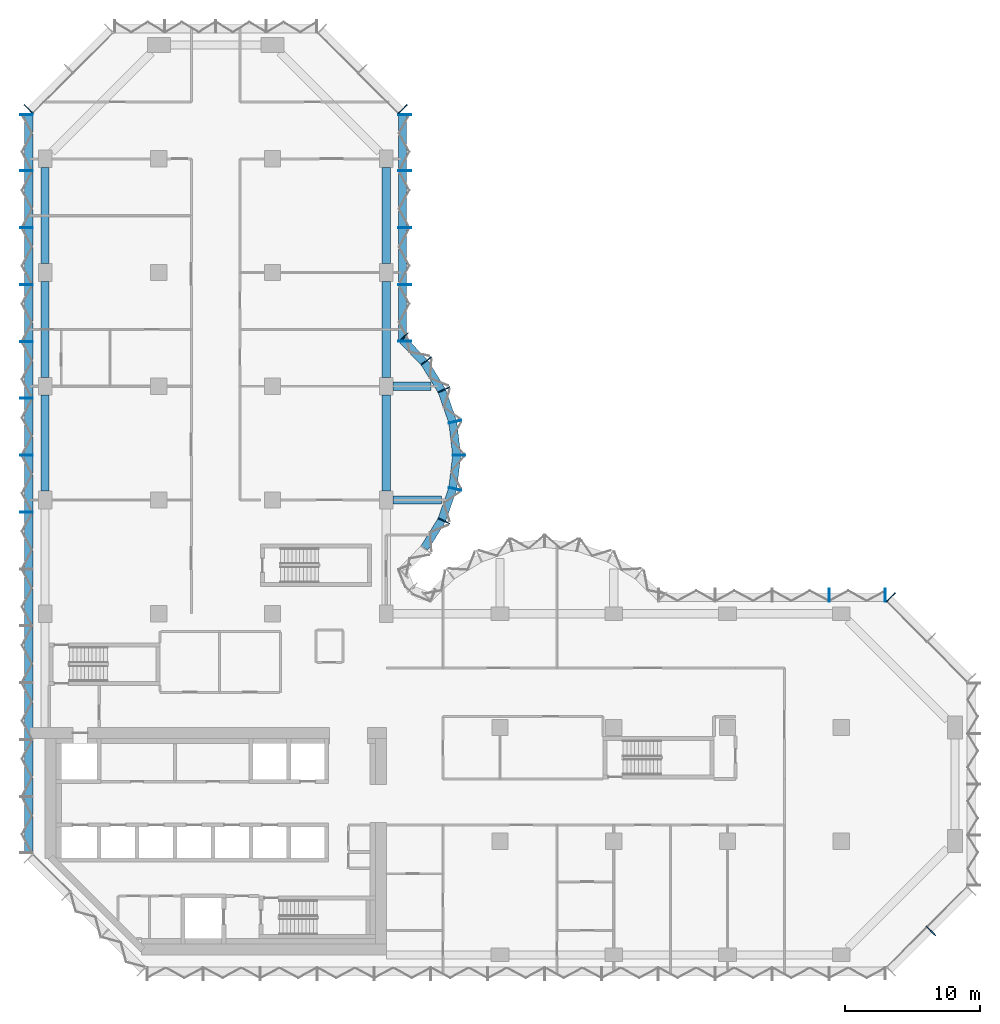
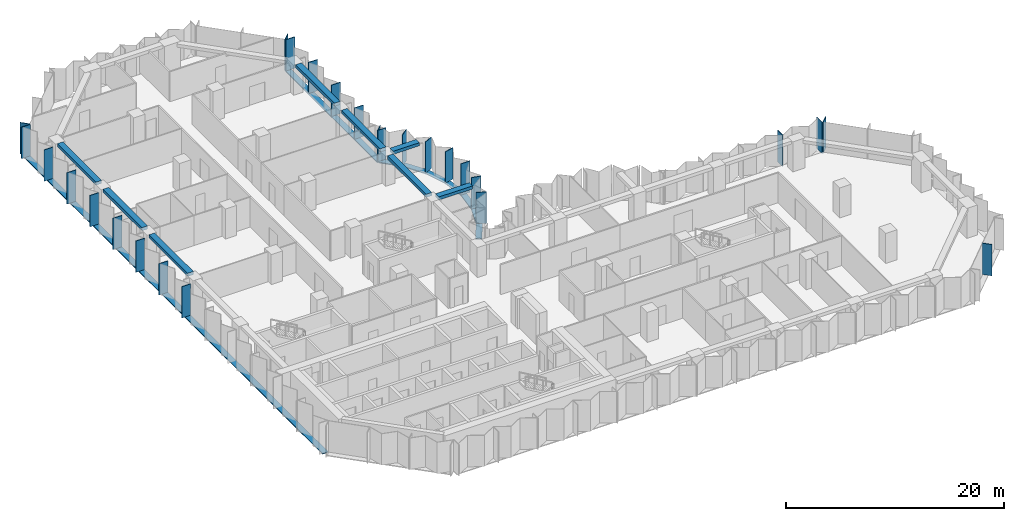
# One storey, part 3 of 13: 35 members, 8 beams, 8 elements without a shape of their own.
"""IFC4 building model written with IfcOpenShell, lengths in metres."""

from ifc_helpers import new_model, si_unit, direction, frame, origin, origin_2d, place, context, subcontext, project, spatial, rectangle, extrude, material, material_profile, profile_set, type_object, element, aggregate, save


model = new_model("IFC4")

# Units and contexts
model_context = context("Model", 3, precision=1e-05, world=origin(), true_north=direction((0.0, 1.0)))
body_context = subcontext(model_context, "Body", "Model", "MODEL_VIEW")
ifc_project = project(units=[si_unit("LENGTHUNIT", "METRE"), si_unit("AREAUNIT", "SQUARE_METRE"), si_unit("VOLUMEUNIT", "CUBIC_METRE"), si_unit("PLANEANGLEUNIT", "RADIAN"), si_unit("MASSUNIT", "GRAM", prefix="KILO")], contexts=[model_context])

# Site, building, storey
site_placement = place(None, origin())
site = spatial("IfcSite", under=ifc_project, at=site_placement, CompositionType="ELEMENT")
building_placement = place(site_placement, origin())
building = spatial("IfcBuilding", under=site, at=building_placement, Name="Brevane Broadcast Tower", CompositionType="ELEMENT")
storey_placement = place(building_placement, frame((0.0, 0.0, 109.699951171875)))
storey = spatial("IfcBuildingStorey", under=building, at=storey_placement, Name="L26", CompositionType="ELEMENT", Elevation=109.699951171875)

# Curtain wall, member
ifc_material_1 = material(Name="Aluminium 6063-T6 bronze anodised", Category="aluminium")
curtain_wall_type = type_object("IfcCurtainWallType", Name="CW-1 curtain wall", PredefinedType="NOTDEFINED", material=ifc_material_1)
curtain_wall_1_placement = place(storey_placement, origin())
curtain_wall_1 = element("IfcCurtainWall", 1, at=curtain_wall_1_placement, inside=storey, type_object=curtain_wall_type, Name="CW-1 typical tilted unit L26 south-east chamfer", PredefinedType="NOTDEFINED")
ifc_material_profile_1 = material_profile(ifc_material_1, rectangle(XDim=0.949951171875, YDim=0.070068359375, at=origin_2d()), Name="RECT 70x950")
ifc_profile_set_1 = profile_set([ifc_material_profile_1], Name="Aluminium 6063-T6 bronze anodised")
member_type_1 = type_object("IfcMemberType", Name="CW-1 mullion 70x950", PredefinedType="MULLION", material=ifc_profile_set_1)
member_1_placement = place(storey_placement, frame((65.435791015625, 1.76416015625, -0.14990234375), z_axis=(0.0, 0.0, 1.0), x_axis=(-0.707106781187, 0.707106781187, 0.0)))
member_1 = element("IfcMember", 2, at=member_1_placement, type_object=member_type_1, Name="CW-1 mullion", PredefinedType="MULLION", context=body_context, shape_type="SweptSolid", body=[
    extrude(rectangle(XDim=0.949951171875, YDim=0.070068359375, at=origin_2d()), origin(), (0.0, 0.0, 1.0), 3.5),
])
aggregate(curtain_wall_1, [member_1])

curtain_wall_2_placement = place(storey_placement, origin())
curtain_wall_2 = element("IfcCurtainWall", 3, at=curtain_wall_2_placement, inside=storey, type_object=curtain_wall_type, Name="CW-1 typical tilted unit L26 north-east chamfer", PredefinedType="NOTDEFINED")
member_2_placement = place(storey_placement, frame((62.460693359375, 26.4111328125, -0.14990234375), z_axis=(0.0, 0.0, 1.0), x_axis=(-0.707106781187, -0.707106781187, 0.0)))
member_2 = element("IfcMember", 4, at=member_2_placement, type_object=member_type_1, Name="CW-1 mullion", PredefinedType="MULLION", context=body_context, shape_type="SweptSolid", body=[
    extrude(rectangle(XDim=0.949951171875, YDim=0.070068359375, at=origin_2d()), origin(), (0.0, 0.0, 1.0), 3.5),
])
aggregate(curtain_wall_2, [member_2])

# Curtain wall, members
curtain_wall_3_placement = place(storey_placement, origin())
curtain_wall_3 = element("IfcCurtainWall", 5, at=curtain_wall_3_placement, inside=storey, type_object=curtain_wall_type, Name="CW-1 typical tilted unit L26 east arm north face", PredefinedType="NOTDEFINED")
member_3_placement = place(storey_placement, frame((62.06494140625, 26.574951171875, -0.14990234375), z_axis=(0.0, 0.0, 1.0), x_axis=(0.0, -1.0, 0.0)))
member_3 = element("IfcMember", 6, at=member_3_placement, type_object=member_type_1, Name="CW-1 mullion", PredefinedType="MULLION", context=body_context, shape_type="SweptSolid", body=[
    extrude(rectangle(XDim=0.949951171875, YDim=0.070068359375, at=origin_2d()), origin(), (0.0, 0.0, 1.0), 3.5),
])
member_4_placement = place(storey_placement, frame((57.89990234375, 26.574951171875, -0.14990234375), z_axis=(0.0, 0.0, 1.0), x_axis=(0.0, -1.0, 0.0)))
member_4 = element("IfcMember", 7, at=member_4_placement, type_object=member_type_1, Name="CW-1 mullion", PredefinedType="MULLION", context=body_context, shape_type="SweptSolid", body=[
    extrude(rectangle(XDim=0.949951171875, YDim=0.070068359375, at=origin_2d()), origin(), (0.0, 0.0, 1.0), 3.5),
])
aggregate(curtain_wall_3, [member_3, member_4])

curtain_wall_4_placement = place(storey_placement, origin())
curtain_wall_4 = element("IfcCurtainWall", 8, at=curtain_wall_4_placement, inside=storey, type_object=curtain_wall_type, Name="CW-1 typical tilted unit L26 north bow", PredefinedType="NOTDEFINED")
member_5_placement = place(storey_placement, frame((29.4580078125, 32.05322265625, -0.14990234375), z_axis=(0.0, 0.0, 1.0), x_axis=(-0.902860508933, 0.429933601163, 0.0)))
member_5 = element("IfcMember", 9, at=member_5_placement, type_object=member_type_1, Name="CW-1 mullion", PredefinedType="MULLION", context=body_context, shape_type="SweptSolid", body=[
    extrude(rectangle(XDim=0.949951171875, YDim=0.070068359375, at=origin_2d()), origin(), (0.0, 0.0, 1.0), 3.5),
])
member_6_placement = place(storey_placement, frame((30.28076171875, 34.411865234375, -0.14990234375), z_axis=(0.0, 0.0, 1.0), x_axis=(-0.974403430594, 0.224806482215, 0.0)))
member_6 = element("IfcMember", 10, at=member_6_placement, type_object=member_type_1, Name="CW-1 mullion", PredefinedType="MULLION", context=body_context, shape_type="SweptSolid", body=[
    extrude(rectangle(XDim=0.949951171875, YDim=0.070068359375, at=origin_2d()), origin(), (0.0, 0.0, 1.0), 3.5),
])
member_7_placement = place(storey_placement, frame((30.574951171875, 36.89990234375, -0.14990234375), z_axis=(0.0, 0.0, 1.0), x_axis=(-1.0, 0.0, 0.0)))
member_7 = element("IfcMember", 11, at=member_7_placement, type_object=member_type_1, Name="CW-1 mullion", PredefinedType="MULLION", context=body_context, shape_type="SweptSolid", body=[
    extrude(rectangle(XDim=0.949951171875, YDim=0.070068359375, at=origin_2d()), origin(), (0.0, 0.0, 1.0), 3.5),
])
member_8_placement = place(storey_placement, frame((30.28076171875, 39.38818359375, -0.14990234375), z_axis=(0.0, 0.0, 1.0), x_axis=(-0.974403430594, -0.224806482215, 0.0)))
member_8 = element("IfcMember", 12, at=member_8_placement, type_object=member_type_1, Name="CW-1 mullion", PredefinedType="MULLION", context=body_context, shape_type="SweptSolid", body=[
    extrude(rectangle(XDim=0.949951171875, YDim=0.070068359375, at=origin_2d()), origin(), (0.0, 0.0, 1.0), 3.5),
])
member_9_placement = place(storey_placement, frame((29.4580078125, 41.746826171875, -0.14990234375), z_axis=(0.0, 0.0, 1.0), x_axis=(-0.902860508933, -0.429933601163, 0.0)))
member_9 = element("IfcMember", 13, at=member_9_placement, type_object=member_type_1, Name="CW-1 mullion", PredefinedType="MULLION", context=body_context, shape_type="SweptSolid", body=[
    extrude(rectangle(XDim=0.949951171875, YDim=0.070068359375, at=origin_2d()), origin(), (0.0, 0.0, 1.0), 3.5),
])
member_10_placement = place(storey_placement, frame((28.1455078125, 43.8720703125, -0.14990234375), z_axis=(0.0, 0.0, 1.0), x_axis=(-0.788706642853, -0.614769738617, 0.0)))
member_10 = element("IfcMember", 14, at=member_10_placement, type_object=member_type_1, Name="CW-1 mullion", PredefinedType="MULLION", context=body_context, shape_type="SweptSolid", body=[
    extrude(rectangle(XDim=0.949951171875, YDim=0.070068359375, at=origin_2d()), origin(), (0.0, 0.0, 1.0), 3.5),
])
member_11_placement = place(storey_placement, frame((26.465087890625, 45.60595703125, -0.14990234375), z_axis=(0.0, 0.0, 1.0), x_axis=(-0.717253872699, -0.696811941702, 0.0)))
member_11 = element("IfcMember", 15, at=member_11_placement, type_object=member_type_1, Name="CW-1 mullion", PredefinedType="MULLION", context=body_context, shape_type="SweptSolid", body=[
    extrude(rectangle(XDim=0.949951171875, YDim=0.070068359375, at=origin_2d()), origin(), (0.0, 0.0, 1.0), 3.5),
])

curtain_wall_5_placement = place(storey_placement, origin())
curtain_wall_5 = element("IfcCurtainWall", 16, at=curtain_wall_5_placement, inside=storey, type_object=curtain_wall_type, Name="CW-1 typical tilted unit L26 north arm east face", PredefinedType="NOTDEFINED")
member_12_placement = place(storey_placement, frame((26.574951171875, 45.3349609375, -0.14990234375), z_axis=(0.0, 0.0, 1.0), x_axis=(-1.0, 0.0, 0.0)))
member_12 = element("IfcMember", 17, at=member_12_placement, type_object=member_type_1, Name="CW-1 mullion", PredefinedType="MULLION", context=body_context, shape_type="SweptSolid", body=[
    extrude(rectangle(XDim=0.949951171875, YDim=0.070068359375, at=origin_2d()), origin(), (0.0, 0.0, 1.0), 3.5),
])
member_13_placement = place(storey_placement, frame((26.574951171875, 49.5, -0.14990234375), z_axis=(0.0, 0.0, 1.0), x_axis=(-1.0, 0.0, 0.0)))
member_13 = element("IfcMember", 18, at=member_13_placement, type_object=member_type_1, Name="CW-1 mullion", PredefinedType="MULLION", context=body_context, shape_type="SweptSolid", body=[
    extrude(rectangle(XDim=0.949951171875, YDim=0.070068359375, at=origin_2d()), origin(), (0.0, 0.0, 1.0), 3.5),
])
member_14_placement = place(storey_placement, frame((26.574951171875, 53.699951171875, -0.14990234375), z_axis=(0.0, 0.0, 1.0), x_axis=(-1.0, 0.0, 0.0)))
member_14 = element("IfcMember", 19, at=member_14_placement, type_object=member_type_1, Name="CW-1 mullion", PredefinedType="MULLION", context=body_context, shape_type="SweptSolid", body=[
    extrude(rectangle(XDim=0.949951171875, YDim=0.070068359375, at=origin_2d()), origin(), (0.0, 0.0, 1.0), 3.5),
])
member_15_placement = place(storey_placement, frame((26.574951171875, 57.89990234375, -0.14990234375), z_axis=(0.0, 0.0, 1.0), x_axis=(-1.0, 0.0, 0.0)))
member_15 = element("IfcMember", 20, at=member_15_placement, type_object=member_type_1, Name="CW-1 mullion", PredefinedType="MULLION", context=body_context, shape_type="SweptSolid", body=[
    extrude(rectangle(XDim=0.949951171875, YDim=0.070068359375, at=origin_2d()), origin(), (0.0, 0.0, 1.0), 3.5),
])
member_16_placement = place(storey_placement, frame((26.574951171875, 62.06494140625, -0.14990234375), z_axis=(0.0, 0.0, 1.0), x_axis=(-1.0, 0.0, 0.0)))
member_16 = element("IfcMember", 21, at=member_16_placement, type_object=member_type_1, Name="CW-1 mullion", PredefinedType="MULLION", context=body_context, shape_type="SweptSolid", body=[
    extrude(rectangle(XDim=0.949951171875, YDim=0.070068359375, at=origin_2d()), origin(), (0.0, 0.0, 1.0), 3.5),
])

# Curtain wall, member
curtain_wall_6_placement = place(storey_placement, origin())
curtain_wall_6 = element("IfcCurtainWall", 22, at=curtain_wall_6_placement, inside=storey, type_object=curtain_wall_type, Name="CW-1 typical tilted unit L26 north arm north-east chamfer", PredefinedType="NOTDEFINED")
member_17_placement = place(storey_placement, frame((26.4111328125, 62.460693359375, -0.14990234375), z_axis=(0.0, 0.0, 1.0), x_axis=(-0.707106781187, -0.707106781187, 0.0)))
member_17 = element("IfcMember", 23, at=member_17_placement, type_object=member_type_1, Name="CW-1 mullion", PredefinedType="MULLION", context=body_context, shape_type="SweptSolid", body=[
    extrude(rectangle(XDim=0.949951171875, YDim=0.070068359375, at=origin_2d()), origin(), (0.0, 0.0, 1.0), 3.5),
])
aggregate(curtain_wall_6, [member_17])

curtain_wall_7_placement = place(storey_placement, origin())
curtain_wall_7 = element("IfcCurtainWall", 24, at=curtain_wall_7_placement, inside=storey, type_object=curtain_wall_type, Name="CW-1 typical tilted unit L26 north-west chamfer", PredefinedType="NOTDEFINED")
member_18_placement = place(storey_placement, frame((-1.211181640625, 62.460693359375, -0.14990234375), z_axis=(0.0, 0.0, 1.0), x_axis=(0.707106781187, -0.707106781187, 0.0)))
member_18 = element("IfcMember", 25, at=member_18_placement, type_object=member_type_1, Name="CW-1 mullion", PredefinedType="MULLION", context=body_context, shape_type="SweptSolid", body=[
    extrude(rectangle(XDim=0.949951171875, YDim=0.070068359375, at=origin_2d()), origin(), (0.0, 0.0, 1.0), 3.5),
])
aggregate(curtain_wall_7, [member_18])

# Curtain wall, members
curtain_wall_8_placement = place(storey_placement, origin())
curtain_wall_8 = element("IfcCurtainWall", 26, at=curtain_wall_8_placement, inside=storey, type_object=curtain_wall_type, Name="CW-1 typical tilted unit L26 west face", PredefinedType="NOTDEFINED")
member_19_placement = place(storey_placement, frame((-1.375, 62.06494140625, -0.14990234375), z_axis=(0.0, 0.0, 1.0), x_axis=(1.0, 0.0, 0.0)))
member_19 = element("IfcMember", 27, at=member_19_placement, type_object=member_type_1, Name="CW-1 mullion", PredefinedType="MULLION", context=body_context, shape_type="SweptSolid", body=[
    extrude(rectangle(XDim=0.949951171875, YDim=0.070068359375, at=origin_2d()), origin(), (0.0, 0.0, 1.0), 3.5),
])
member_20_placement = place(storey_placement, frame((-1.375, 57.89990234375, -0.14990234375), z_axis=(0.0, 0.0, 1.0), x_axis=(1.0, 0.0, 0.0)))
member_20 = element("IfcMember", 28, at=member_20_placement, type_object=member_type_1, Name="CW-1 mullion", PredefinedType="MULLION", context=body_context, shape_type="SweptSolid", body=[
    extrude(rectangle(XDim=0.949951171875, YDim=0.070068359375, at=origin_2d()), origin(), (0.0, 0.0, 1.0), 3.5),
])
member_21_placement = place(storey_placement, frame((-1.375, 53.699951171875, -0.14990234375), z_axis=(0.0, 0.0, 1.0), x_axis=(1.0, 0.0, 0.0)))
member_21 = element("IfcMember", 29, at=member_21_placement, type_object=member_type_1, Name="CW-1 mullion", PredefinedType="MULLION", context=body_context, shape_type="SweptSolid", body=[
    extrude(rectangle(XDim=0.949951171875, YDim=0.070068359375, at=origin_2d()), origin(), (0.0, 0.0, 1.0), 3.5),
])
member_22_placement = place(storey_placement, frame((-1.375, 49.5, -0.14990234375), z_axis=(0.0, 0.0, 1.0), x_axis=(1.0, 0.0, 0.0)))
member_22 = element("IfcMember", 30, at=member_22_placement, type_object=member_type_1, Name="CW-1 mullion", PredefinedType="MULLION", context=body_context, shape_type="SweptSolid", body=[
    extrude(rectangle(XDim=0.949951171875, YDim=0.070068359375, at=origin_2d()), origin(), (0.0, 0.0, 1.0), 3.5),
])
member_23_placement = place(storey_placement, frame((-1.375, 45.300048828125, -0.14990234375), z_axis=(0.0, 0.0, 1.0), x_axis=(1.0, 0.0, 0.0)))
member_23 = element("IfcMember", 31, at=member_23_placement, type_object=member_type_1, Name="CW-1 mullion", PredefinedType="MULLION", context=body_context, shape_type="SweptSolid", body=[
    extrude(rectangle(XDim=0.949951171875, YDim=0.070068359375, at=origin_2d()), origin(), (0.0, 0.0, 1.0), 3.5),
])
member_24_placement = place(storey_placement, frame((-1.375, 41.10009765625, -0.14990234375), z_axis=(0.0, 0.0, 1.0), x_axis=(1.0, 0.0, 0.0)))
member_24 = element("IfcMember", 32, at=member_24_placement, type_object=member_type_1, Name="CW-1 mullion", PredefinedType="MULLION", context=body_context, shape_type="SweptSolid", body=[
    extrude(rectangle(XDim=0.949951171875, YDim=0.070068359375, at=origin_2d()), origin(), (0.0, 0.0, 1.0), 3.5),
])
member_25_placement = place(storey_placement, frame((-1.375, 36.89990234375, -0.14990234375), z_axis=(0.0, 0.0, 1.0), x_axis=(1.0, 0.0, 0.0)))
member_25 = element("IfcMember", 33, at=member_25_placement, type_object=member_type_1, Name="CW-1 mullion", PredefinedType="MULLION", context=body_context, shape_type="SweptSolid", body=[
    extrude(rectangle(XDim=0.949951171875, YDim=0.070068359375, at=origin_2d()), origin(), (0.0, 0.0, 1.0), 3.5),
])
member_26_placement = place(storey_placement, frame((-1.375, 32.699951171875, -0.14990234375), z_axis=(0.0, 0.0, 1.0), x_axis=(1.0, 0.0, 0.0)))
member_26 = element("IfcMember", 34, at=member_26_placement, type_object=member_type_1, Name="CW-1 mullion", PredefinedType="MULLION", context=body_context, shape_type="SweptSolid", body=[
    extrude(rectangle(XDim=0.949951171875, YDim=0.070068359375, at=origin_2d()), origin(), (0.0, 0.0, 1.0), 3.5),
])

# Member
ifc_material_profile_2 = material_profile(ifc_material_1, rectangle(XDim=0.60009765625, YDim=0.10009765625, at=origin_2d()), Name="RECT 100x600")
ifc_profile_set_2 = profile_set([ifc_material_profile_2], Name="Aluminium 6063-T6 bronze anodised")
member_type_2 = type_object("IfcMemberType", Name="CW-1 transom 100x600", PredefinedType="USERDEFINED", material=ifc_profile_set_2)
member_27_placement = place(storey_placement, frame((28.023193359375, 30.0576171875, -0.199951171875), z_axis=(0.525427766759, 0.850838211365, 0.0), x_axis=(-0.850838211365, 0.525427766759, 0.0)))
member_27 = element("IfcMember", 35, at=member_27_placement, type_object=member_type_2, Name="CW-1 transom", ObjectType="TRANSOM", PredefinedType="USERDEFINED", context=body_context, shape_type="SweptSolid", body=[
    extrude(rectangle(XDim=0.60009765625, YDim=0.10009765625, at=origin_2d()), origin(), (0.0, 0.0, 1.0), 2.394775390625),
])

member_28_placement = place(storey_placement, frame((29.314208984375, 32.163818359375, -0.199951171875), z_axis=(0.329378497041, 0.944197969542, 0.0), x_axis=(-0.944197969542, 0.329378497041, 0.0)))
member_28 = element("IfcMember", 36, at=member_28_placement, type_object=member_type_2, Name="CW-1 transom", ObjectType="TRANSOM", PredefinedType="USERDEFINED", context=body_context, shape_type="SweptSolid", body=[
    extrude(rectangle(XDim=0.60009765625, YDim=0.10009765625, at=origin_2d()), origin(), (0.0, 0.0, 1.0), 2.394775390625),
])

member_29_placement = place(storey_placement, frame((30.117431640625, 34.499755859375, -0.199951171875), z_axis=(0.117603307202, 0.993060653805, 0.0), x_axis=(-0.993060653805, 0.117603307202, 0.0)))
member_29 = element("IfcMember", 37, at=member_29_placement, type_object=member_type_2, Name="CW-1 transom", ObjectType="TRANSOM", PredefinedType="USERDEFINED", context=body_context, shape_type="SweptSolid", body=[
    extrude(rectangle(XDim=0.60009765625, YDim=0.10009765625, at=origin_2d()), origin(), (0.0, 0.0, 1.0), 2.397705078125),
])

member_30_placement = place(storey_placement, frame((30.3994140625, 36.9189453125, -0.199951171875), z_axis=(-0.117591417, 0.993062061831, 0.0), x_axis=(-0.993062061831, -0.117591417, 0.0)))
member_30 = element("IfcMember", 38, at=member_30_placement, type_object=member_type_2, Name="CW-1 transom", ObjectType="TRANSOM", PredefinedType="USERDEFINED", context=body_context, shape_type="SweptSolid", body=[
    extrude(rectangle(XDim=0.60009765625, YDim=0.10009765625, at=origin_2d()), origin(), (0.0, 0.0, 1.0), 2.39794921875),
])

member_31_placement = place(storey_placement, frame((30.10302734375, 39.375, -0.199951171875), z_axis=(-0.329378497041, 0.944197969542, 0.0), x_axis=(-0.944197969542, -0.329378497041, 0.0)))
member_31 = element("IfcMember", 39, at=member_31_placement, type_object=member_type_2, Name="CW-1 transom", ObjectType="TRANSOM", PredefinedType="USERDEFINED", context=body_context, shape_type="SweptSolid", body=[
    extrude(rectangle(XDim=0.60009765625, YDim=0.10009765625, at=origin_2d()), origin(), (0.0, 0.0, 1.0), 2.394775390625),
])

member_32_placement = place(storey_placement, frame((29.281494140625, 41.704833984375, -0.199951171875), z_axis=(-0.525473345162, 0.850810063131, 0.0), x_axis=(-0.850810063131, -0.525473345162, 0.0)))
member_32 = element("IfcMember", 40, at=member_32_placement, type_object=member_type_2, Name="CW-1 transom", ObjectType="TRANSOM", PredefinedType="USERDEFINED", context=body_context, shape_type="SweptSolid", body=[
    extrude(rectangle(XDim=0.60009765625, YDim=0.10009765625, at=origin_2d()), origin(), (0.0, 0.0, 1.0), 2.39453125),
])

member_33_placement = place(storey_placement, frame((27.974365234375, 43.800537109375, -0.199951171875), z_axis=(-0.696823999134, 0.71724215871, 0.0), x_axis=(-0.71724215871, -0.696823999134, 0.0)))
member_33 = element("IfcMember", 41, at=member_33_placement, type_object=member_type_2, Name="CW-1 transom", ObjectType="TRANSOM", PredefinedType="USERDEFINED", context=body_context, shape_type="SweptSolid", body=[
    extrude(rectangle(XDim=0.60009765625, YDim=0.10009765625, at=origin_2d()), origin(), (0.0, 0.0, 1.0), 2.247802734375),
])

aggregate(curtain_wall_4, [member_5, member_6, member_7, member_8, member_9, member_10, member_11, member_27, member_28, member_29, member_30, member_31, member_32, member_33])

member_34_placement = place(storey_placement, frame((26.39990234375, 45.300048828125, -0.199951171875), z_axis=(0.0, 1.0, 0.0), x_axis=(-1.0, 0.0, 0.0)))
member_34 = element("IfcMember", 42, at=member_34_placement, type_object=member_type_2, Name="CW-1 transom", ObjectType="TRANSOM", PredefinedType="USERDEFINED", context=body_context, shape_type="SweptSolid", body=[
    extrude(rectangle(XDim=0.60009765625, YDim=0.10009765625, at=origin_2d()), origin(), (0.0, 0.0, 1.0), 16.800048828125),
])

aggregate(curtain_wall_5, [member_12, member_13, member_14, member_15, member_16, member_34])

member_35_placement = place(storey_placement, frame((-1.199951171875, 62.10009765625, -0.199951171875), z_axis=(0.0, -1.0, 0.0), x_axis=(1.0, 0.0, 0.0)))
member_35 = element("IfcMember", 43, at=member_35_placement, type_object=member_type_2, Name="CW-1 transom", ObjectType="TRANSOM", PredefinedType="USERDEFINED", context=body_context, shape_type="SweptSolid", body=[
    extrude(rectangle(XDim=0.60009765625, YDim=0.10009765625, at=origin_2d()), origin(), (0.0, 0.0, 1.0), 54.60009765625),
])

aggregate(curtain_wall_8, [member_19, member_20, member_21, member_22, member_23, member_24, member_25, member_26, member_35])

# Beams
ifc_material_2 = material(Name="Concrete C40/50", Category="concrete")
ifc_material_profile_3 = material_profile(ifc_material_2, rectangle(XDim=0.60009765625, YDim=0.35009765625, at=origin_2d()), Name="RC 600x350")
ifc_profile_set_3 = profile_set([ifc_material_profile_3], Name="Concrete C40/50")
beam_type_1 = type_object("IfcBeamType", Name="RC BRACKET BEAM 600x350 C40/50", PredefinedType="BEAM", material=ifc_profile_set_3)
beam_1_placement = place(storey_placement, frame((25.699951171875, 33.60009765625, 3.175048828125), z_axis=(1.0, 0.0, 0.0), x_axis=(0.0, 1.0, 0.0)))
element("IfcBeam", 44, at=beam_1_placement, inside=storey, type_object=beam_type_1, Name="EB2 L26-1", PredefinedType="BEAM", context=body_context, shape_type="SweptSolid", body=[
    extrude(rectangle(XDim=0.60009765625, YDim=0.35009765625, at=origin_2d()), origin(), (0.0, 0.0, 1.0), 3.56201171875),
])
beam_2_placement = place(storey_placement, frame((25.699951171875, 42.0, 3.175048828125), z_axis=(1.0, 0.0, 0.0), x_axis=(0.0, 1.0, 0.0)))
element("IfcBeam", 45, at=beam_2_placement, inside=storey, type_object=beam_type_1, Name="EB2 L26-2", PredefinedType="BEAM", context=body_context, shape_type="SweptSolid", body=[
    extrude(rectangle(XDim=0.60009765625, YDim=0.35009765625, at=origin_2d()), origin(), (0.0, 0.0, 1.0), 2.8115234375),
])
ifc_material_profile_4 = material_profile(ifc_material_2, rectangle(XDim=0.60009765625, YDim=0.35009765625, at=origin_2d()), Name="RC 600x350")
ifc_profile_set_4 = profile_set([ifc_material_profile_4], Name="Concrete C40/50")
beam_type_2 = type_object("IfcBeamType", Name="RC SPANDREL BEAM 600x350 C40/50", PredefinedType="SPANDREL", material=ifc_profile_set_4)
for number, where, z_axis, x_axis, name in (
    (46, (25.199951171875, 34.25, 3.175048828125), (0.0, 1.0, 0.0), (-1.0, 0.0, 0.0), "EB1 L26-13"),
    (47, (25.199951171875, 42.64990234375, 3.175048828125), (0.0, 1.0, 0.0), (-1.0, 0.0, 0.0), "EB1 L26-14"),
):
    element("IfcBeam", number, at=place(storey_placement, frame(where, z_axis=z_axis, x_axis=x_axis)), inside=storey, type_object=beam_type_2, Name=name, PredefinedType="SPANDREL", context=body_context, shape_type="SweptSolid", body=[
        extrude(rectangle(XDim=0.60009765625, YDim=0.35009765625, at=origin_2d()), origin(), (0.0, 0.0, 1.0), 7.10009765625),
    ])
for number, where, z_axis, x_axis, name in (
    (48, (25.199951171875, 51.050048828125, 3.175048828125), (0.0, 1.0, 0.0), (-1.0, 0.0, 0.0), "EB1 L26-15"),
    (49, (0.0, 58.14990234375, 3.175048828125), (0.0, -1.0, 0.0), (1.0, 0.0, 0.0), "EB1 L26-19"),
):
    element("IfcBeam", number, at=place(storey_placement, frame(where, z_axis=z_axis, x_axis=x_axis)), inside=storey, type_object=beam_type_2, Name=name, PredefinedType="SPANDREL", context=body_context, shape_type="SweptSolid", body=[
        extrude(rectangle(XDim=0.60009765625, YDim=0.35009765625, at=origin_2d()), origin(), (0.0, 0.0, 1.0), 7.099853515625),
    ])
for number, where, z_axis, x_axis, name in (
    (50, (0.0, 49.75, 3.175048828125), (0.0, -1.0, 0.0), (1.0, 0.0, 0.0), "EB1 L26-20"),
    (51, (0.0, 41.35009765625, 3.175048828125), (0.0, -1.0, 0.0), (1.0, 0.0, 0.0), "EB1 L26-21"),
):
    element("IfcBeam", number, at=place(storey_placement, frame(where, z_axis=z_axis, x_axis=x_axis)), inside=storey, type_object=beam_type_2, Name=name, PredefinedType="SPANDREL", context=body_context, shape_type="SweptSolid", body=[
        extrude(rectangle(XDim=0.60009765625, YDim=0.35009765625, at=origin_2d()), origin(), (0.0, 0.0, 1.0), 7.10009765625),
    ])

save(model, "model.ifc")
